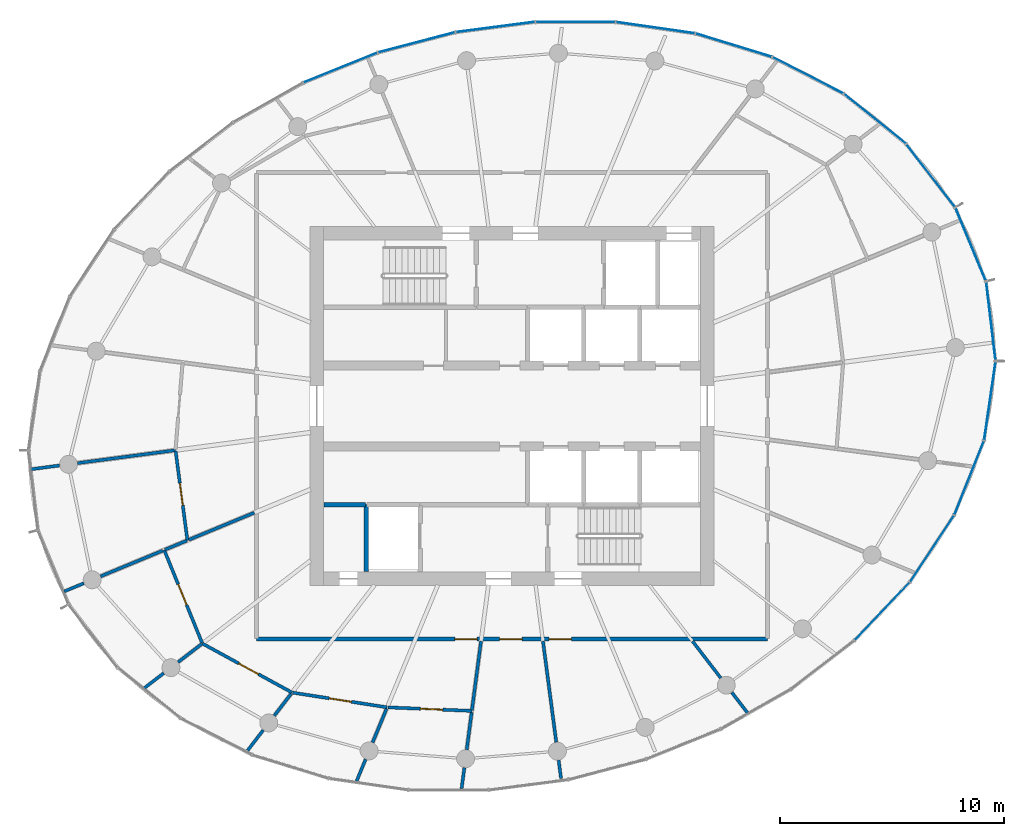
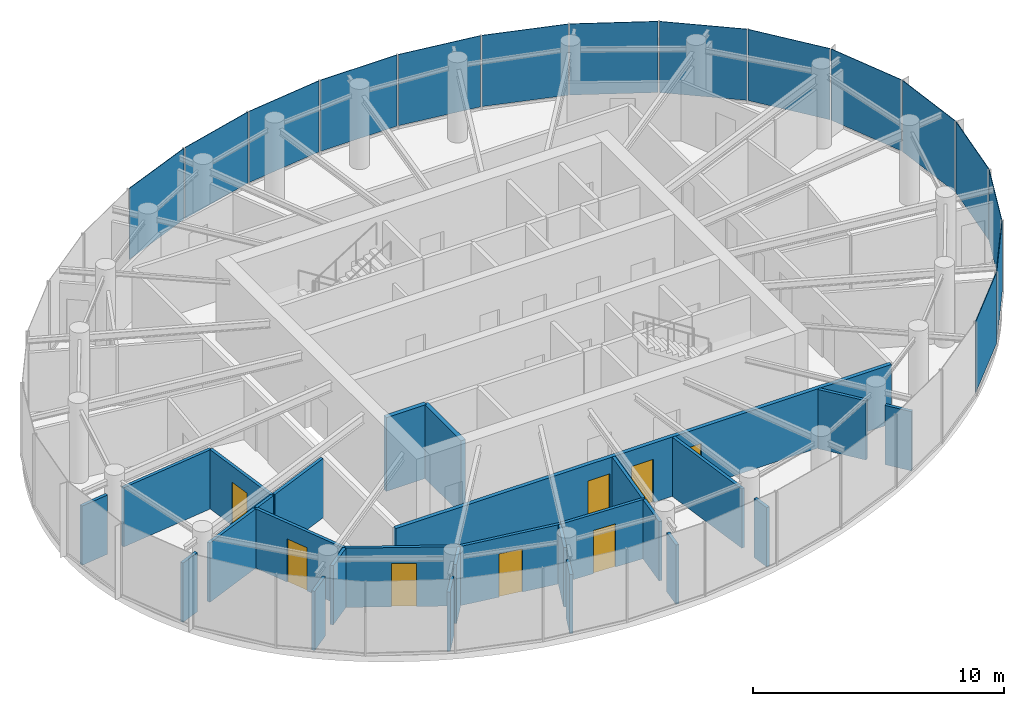
# One storey, part 8 of 13: 27 walls, 15 plates, 8 doors, 8 openings, 4 elements without a shape of their own.
"""IFC4 building model written with IfcOpenShell, lengths in metres."""

from ifc_helpers import new_model, si_unit, direction, frame, frame_2d, origin, origin_2d, place, context, subcontext, project, spatial, rectangle, extrude, source, transform, mapped, material, layer, layer_set, type_object, element, fill, aggregate, save


model = new_model("IFC4")

# Units and contexts
model_context = context("Model", 3, precision=1e-05, world=origin(), true_north=direction((0.0, 1.0)))
body_context = subcontext(model_context, "Body", "Model", "MODEL_VIEW")
ifc_project = project(units=[si_unit("LENGTHUNIT", "METRE"), si_unit("AREAUNIT", "SQUARE_METRE"), si_unit("VOLUMEUNIT", "CUBIC_METRE"), si_unit("PLANEANGLEUNIT", "RADIAN"), si_unit("MASSUNIT", "GRAM", prefix="KILO")], contexts=[model_context])

# Site, building, storey
site_placement = place(None, origin())
site = spatial("IfcSite", under=ifc_project, at=site_placement, CompositionType="ELEMENT")
building_placement = place(site_placement, origin())
building = spatial("IfcBuilding", under=site, at=building_placement, Name="Spindrift Exchange Tower", CompositionType="ELEMENT")
storey_placement = place(building_placement, frame((0.0, 0.0, 257.89990234375)))
storey = spatial("IfcBuildingStorey", under=building, at=storey_placement, Name="L63", CompositionType="ELEMENT", Elevation=257.89990234375)

# Curtain wall, plates
ifc_material_1 = material(Name="Fritted laminated glass with bronze frame", Category="glass")
ifc_layer_1 = layer(ifc_material_1, 0.159912109375)
ifc_layer_set_1 = layer_set([ifc_layer_1], Name="ZONE 5 BRONZE FRITTED WALL")
curtain_wall_type = type_object("IfcCurtainWallType", Name="ZONE 5 BRONZE FRITTED WALL", PredefinedType="NOTDEFINED", material=ifc_layer_set_1)
curtain_wall_1_placement = place(storey_placement, origin())
curtain_wall_1 = element("IfcCurtainWall", 1, at=curtain_wall_1_placement, inside=storey, type_object=curtain_wall_type, Name="L63 Zone 5 Bronze Fritted Wall run 2", PredefinedType="NOTDEFINED")
ifc_material_2 = material(Name="Bronze fritted laminated glass, open frit", Category="glass")
ifc_layer_2 = layer(ifc_material_2, 0.028076171875)
ifc_layer_set_2 = layer_set([ifc_layer_2], Name="ZONE 5 BRONZE FRITTED WALL PANEL OPEN FRIT 360")
plate_type_1 = type_object("IfcPlateType", Name="ZONE 5 BRONZE FRITTED WALL PANEL OPEN FRIT 360", PredefinedType="CURTAIN_PANEL", material=ifc_layer_set_2)
shared_shape_1 = source(origin(), body_context, "Body", "SweptSolid", [
    extrude(rectangle(XDim=3.5263671875, YDim=0.028076171875, at=origin_2d()), origin(), (0.0, 0.0, 1.0), 3.4599609375),
])
plate_1_placement = place(storey_placement, frame((47.74853515625, 64.210205078125, 0.1201171875), z_axis=(0.0, 0.0, 1.0), x_axis=(-0.967288565406, -0.253678598298, 0.0)))
plate_1 = element("IfcPlate", 2, at=plate_1_placement, type_object=plate_type_1, Name="L63 panel CW-5.9", PredefinedType="CURTAIN_PANEL", context=body_context, shape_type="MappedRepresentation", body=[
    mapped(shared_shape_1, transform((0.0, 0.0, 0.0), scale=1.0)),
])
ifc_layer_3 = layer(ifc_material_2, 0.028076171875)
ifc_layer_set_3 = layer_set([ifc_layer_3], Name="ZONE 5 BRONZE FRITTED WALL PANEL OPEN FRIT 480")
plate_type_2 = type_object("IfcPlateType", Name="ZONE 5 BRONZE FRITTED WALL PANEL OPEN FRIT 480", PredefinedType="CURTAIN_PANEL", material=ifc_layer_set_3)
shared_shape_2 = source(origin(), body_context, "Body", "SweptSolid", [
    extrude(rectangle(XDim=3.526123046875, YDim=0.028076171875, at=origin_2d()), origin(), (0.0, 0.0, 1.0), 3.4599609375),
])
plate_2_placement = place(storey_placement, frame((51.26123046875, 64.896240234375, 0.1201171875), z_axis=(0.0, 0.0, 1.0), x_axis=(-0.991649118387, -0.128965212376, 0.0)))
plate_2 = element("IfcPlate", 3, at=plate_2_placement, type_object=plate_type_2, Name="L63 panel CW-5.8", PredefinedType="CURTAIN_PANEL", context=body_context, shape_type="MappedRepresentation", body=[
    mapped(shared_shape_2, transform((0.0, 0.0, 0.0), scale=1.0)),
])
ifc_layer_4 = layer(ifc_material_2, 0.028076171875)
ifc_layer_set_4 = layer_set([ifc_layer_4], Name="ZONE 5 BRONZE FRITTED WALL PANEL OPEN FRIT 600")
plate_type_3 = type_object("IfcPlateType", Name="ZONE 5 BRONZE FRITTED WALL PANEL OPEN FRIT 600", PredefinedType="CURTAIN_PANEL", material=ifc_layer_set_4)
shared_shape_3 = source(origin(), body_context, "Body", "SweptSolid", [
    extrude(rectangle(XDim=3.526123046875, YDim=0.028076171875, at=origin_2d()), origin(), (0.0, 0.0, 1.0), 3.4599609375),
])
plate_3_placement = place(storey_placement, frame((44.351318359375, 63.083984375, 0.1201171875), z_axis=(0.0, 0.0, 1.0), x_axis=(-0.927298881706, -0.374321765313, 0.0)))
plate_3 = element("IfcPlate", 4, at=plate_3_placement, type_object=plate_type_3, Name="L63 panel CW-5.10", PredefinedType="CURTAIN_PANEL", context=body_context, shape_type="MappedRepresentation", body=[
    mapped(shared_shape_3, transform((0.0, 0.0, 0.0), scale=1.0)),
])

# Curtain wall, plate
curtain_wall_2_placement = place(storey_placement, origin())
curtain_wall_2 = element("IfcCurtainWall", 5, at=curtain_wall_2_placement, inside=storey, type_object=curtain_wall_type, Name="L63 Zone 5 Bronze Fritted Wall run 6", PredefinedType="NOTDEFINED")
shared_shape_4 = source(origin(), body_context, "Body", "SweptSolid", [
    extrude(rectangle(XDim=3.521484375, YDim=0.028076171875, at=origin_2d()), origin(), (0.0, 0.0, 1.0), 3.4599609375),
])
plate_4_placement = place(storey_placement, frame((72.386474609375, 44.788818359375, 0.1201171875), z_axis=(0.0, 0.0, 1.0), x_axis=(0.371458582531, 0.928449525534, 0.0)))
plate_4 = element("IfcPlate", 6, at=plate_4_placement, type_object=plate_type_1, Name="L63 panel CW-5.32", PredefinedType="CURTAIN_PANEL", context=body_context, shape_type="MappedRepresentation", body=[
    mapped(shared_shape_4, transform((0.0, 0.0, 0.0), scale=1.0)),
])

curtain_wall_3_placement = place(storey_placement, origin())
curtain_wall_3 = element("IfcCurtainWall", 7, at=curtain_wall_3_placement, inside=storey, type_object=curtain_wall_type, Name="L63 Zone 5 Bronze Fritted Wall run 1", PredefinedType="NOTDEFINED")
shared_shape_5 = source(origin(), body_context, "Body", "SweptSolid", [
    extrude(rectangle(XDim=3.519287109375, YDim=0.028076171875, at=origin_2d()), origin(), (0.0, 0.0, 1.0), 3.4599609375),
])
plate_5_placement = place(storey_placement, frame((70.67626953125, 58.264892578125, 0.1201171875), z_axis=(0.0, 0.0, 1.0), x_axis=(-0.611462133686, 0.791273694159, 0.0)))
plate_5 = element("IfcPlate", 8, at=plate_5_placement, type_object=plate_type_3, Name="L63 panel CW-5.2", PredefinedType="CURTAIN_PANEL", context=body_context, shape_type="MappedRepresentation", body=[
    mapped(shared_shape_5, transform((0.0, 0.0, 0.0), scale=1.0)),
])

# Plate
shared_shape_6 = source(origin(), body_context, "Body", "SweptSolid", [
    extrude(rectangle(XDim=3.519287109375, YDim=0.028076171875, at=origin_2d()), origin(), (0.0, 0.0, 1.0), 3.4599609375),
])
plate_6_placement = place(storey_placement, frame((73.31005859375, 48.222412109375, 0.1201171875), z_axis=(0.0, 0.0, 1.0), x_axis=(0.144385560759, 0.989521505499, 0.0)))
plate_6 = element("IfcPlate", 9, at=plate_6_placement, type_object=plate_type_1, Name="L63 panel CW-5.33", PredefinedType="CURTAIN_PANEL", context=body_context, shape_type="MappedRepresentation", body=[
    mapped(shared_shape_6, transform((0.0, 0.0, 0.0), scale=1.0)),
])

shared_shape_7 = source(origin(), body_context, "Body", "SweptSolid", [
    extrude(rectangle(XDim=3.521484375, YDim=0.028076171875, at=origin_2d()), origin(), (0.0, 0.0, 1.0), 3.4599609375),
])
plate_7_placement = place(storey_placement, frame((68.186279296875, 60.80322265625, 0.1201171875), z_axis=(0.0, 0.0, 1.0), x_axis=(-0.779310623441, 0.626637815802, 0.0)))
plate_7 = element("IfcPlate", 10, at=plate_7_placement, type_object=plate_type_3, Name="L63 panel CW-5.3", PredefinedType="CURTAIN_PANEL", context=body_context, shape_type="MappedRepresentation", body=[
    mapped(shared_shape_7, transform((0.0, 0.0, 0.0), scale=1.0)),
])

shared_shape_8 = source(origin(), body_context, "Body", "SweptSolid", [
    extrude(rectangle(XDim=3.5234375, YDim=0.028076171875, at=origin_2d()), origin(), (0.0, 0.0, 1.0), 3.4599609375),
])
plate_8_placement = place(storey_placement, frame((70.73291015625, 41.631591796875, 0.1201171875), z_axis=(0.0, 0.0, 1.0), x_axis=(0.551605109208, 0.83410539112, 0.0)))
plate_8 = element("IfcPlate", 11, at=plate_8_placement, type_object=plate_type_1, Name="L63 panel CW-5.31", PredefinedType="CURTAIN_PANEL", context=body_context, shape_type="MappedRepresentation", body=[
    mapped(shared_shape_8, transform((0.0, 0.0, 0.0), scale=1.0)),
])

shared_shape_9 = source(origin(), body_context, "Body", "SweptSolid", [
    extrude(rectangle(XDim=3.517578125, YDim=0.028076171875, at=origin_2d()), origin(), (0.0, 0.0, 1.0), 3.4599609375),
])
plate_9_placement = place(storey_placement, frame((72.45751953125, 55.197265625, 0.1201171875), z_axis=(0.0, 0.0, 1.0), x_axis=(-0.384035887258, 0.923318166884, 0.0)))
plate_9 = element("IfcPlate", 12, at=plate_9_placement, type_object=plate_type_1, Name="L63 panel CW-5.1", PredefinedType="CURTAIN_PANEL", context=body_context, shape_type="MappedRepresentation", body=[
    mapped(shared_shape_9, transform((0.0, 0.0, 0.0), scale=1.0)),
])

shared_shape_10 = source(origin(), body_context, "Body", "SweptSolid", [
    extrude(rectangle(XDim=3.517578125, YDim=0.028076171875, at=origin_2d()), origin(), (0.0, 0.0, 1.0), 3.4599609375),
])
plate_10_placement = place(storey_placement, frame((73.3564453125, 51.769287109375, 0.1201171875), z_axis=(0.0, 0.0, 1.0), x_axis=(-0.118546077337, 0.992948552317, 0.0)))
plate_10 = element("IfcPlate", 13, at=plate_10_placement, type_object=plate_type_3, Name="L63 panel CW-5.34", PredefinedType="CURTAIN_PANEL", context=body_context, shape_type="MappedRepresentation", body=[
    mapped(shared_shape_10, transform((0.0, 0.0, 0.0), scale=1.0)),
])

aggregate(curtain_wall_2, [plate_8, plate_4, plate_6, plate_10])

shared_shape_11 = source(origin(), body_context, "Body", "SweptSolid", [
    extrude(rectangle(XDim=3.5234375, YDim=0.028076171875, at=origin_2d()), origin(), (0.0, 0.0, 1.0), 3.4599609375),
])
plate_11_placement = place(storey_placement, frame((65.1962890625, 62.742431640625, 0.1201171875), z_axis=(0.0, 0.0, 1.0), x_axis=(-0.889968588547, 0.456021832153, 0.0)))
plate_11 = element("IfcPlate", 14, at=plate_11_placement, type_object=plate_type_3, Name="L63 panel CW-5.4", PredefinedType="CURTAIN_PANEL", context=body_context, shape_type="MappedRepresentation", body=[
    mapped(shared_shape_11, transform((0.0, 0.0, 0.0), scale=1.0)),
])

shared_shape_12 = source(origin(), body_context, "Body", "SweptSolid", [
    extrude(rectangle(XDim=3.524658203125, YDim=0.028076171875, at=origin_2d()), origin(), (0.0, 0.0, 1.0), 3.4599609375),
])
plate_12_placement = place(storey_placement, frame((61.88818359375, 64.0849609375, 0.1201171875), z_axis=(0.0, 0.0, 1.0), x_axis=(-0.956054878395, 0.29318777174, 0.0)))
plate_12 = element("IfcPlate", 15, at=plate_12_placement, type_object=plate_type_2, Name="L63 panel CW-5.5", PredefinedType="CURTAIN_PANEL", context=body_context, shape_type="MappedRepresentation", body=[
    mapped(shared_shape_12, transform((0.0, 0.0, 0.0), scale=1.0)),
])

# Curtain wall, plate
curtain_wall_4_placement = place(storey_placement, origin())
curtain_wall_4 = element("IfcCurtainWall", 16, at=curtain_wall_4_placement, inside=storey, type_object=curtain_wall_type, Name="L63 Zone 5 Bronze Fritted Wall run 5", PredefinedType="NOTDEFINED")
plate_13_placement = place(storey_placement, frame((68.509521484375, 38.83837890625, 0.1201171875), z_axis=(0.0, 0.0, 1.0), x_axis=(0.689113808387, 0.724653130187, 0.0)))
plate_13 = element("IfcPlate", 17, at=plate_13_placement, type_object=plate_type_2, Name="L63 panel CW-5.30", PredefinedType="CURTAIN_PANEL", context=body_context, shape_type="MappedRepresentation", body=[
    mapped(shared_shape_12, transform((0.0, 0.0, 0.0), scale=1.0)),
])
aggregate(curtain_wall_4, [plate_13])

# Plate
shared_shape_13 = source(origin(), body_context, "Body", "SweptSolid", [
    extrude(rectangle(XDim=3.52587890625, YDim=0.028076171875, at=origin_2d()), origin(), (0.0, 0.0, 1.0), 3.4599609375),
])
plate_14_placement = place(storey_placement, frame((54.83251953125, 65.123779296875, 0.1201171875), z_axis=(0.0, 0.0, 1.0), x_axis=(-0.999997755281, 0.002118828127, 0.0)))
plate_14 = element("IfcPlate", 18, at=plate_14_placement, type_object=plate_type_1, Name="L63 panel CW-5.7", PredefinedType="CURTAIN_PANEL", context=body_context, shape_type="MappedRepresentation", body=[
    mapped(shared_shape_13, transform((0.0, 0.0, 0.0), scale=1.0)),
])

aggregate(curtain_wall_1, [plate_14, plate_2, plate_1, plate_3])

shared_shape_14 = source(origin(), body_context, "Body", "SweptSolid", [
    extrude(rectangle(XDim=3.525390625, YDim=0.028076171875, at=origin_2d()), origin(), (0.0, 0.0, 1.0), 3.4599609375),
])
plate_15_placement = place(storey_placement, frame((58.39990234375, 64.864990234375, 0.1201171875), z_axis=(0.0, 0.0, 1.0), x_axis=(-0.989852263688, 0.142100302854, 0.0)))
plate_15 = element("IfcPlate", 19, at=plate_15_placement, type_object=plate_type_1, Name="L63 panel CW-5.6", PredefinedType="CURTAIN_PANEL", context=body_context, shape_type="MappedRepresentation", body=[
    mapped(shared_shape_14, transform((0.0, 0.0, 0.0), scale=1.0)),
])

aggregate(curtain_wall_3, [plate_9, plate_5, plate_7, plate_11, plate_12, plate_15])

# Wall, openings, doors
ifc_material_3 = material(Name="Fire-rated plasterboard partition", Category="gypsum")
ifc_layer_5 = layer(ifc_material_3, 0.179931640625)
ifc_layer_set_5 = layer_set([ifc_layer_5], Name="W-CORR-180")
wall_type_1 = type_object("IfcWallType", Name="W-CORR-180", PredefinedType="PARTITIONING", material=ifc_layer_set_5)
wall_1_placement = place(storey_placement, frame((63.39990234375, 37.60009765625, 0.0), z_axis=(0.0, 0.0, 1.0), x_axis=(-1.0, 0.0, 0.0)))
wall_1 = element("IfcWall", 20, at=wall_1_placement, inside=storey, type_object=wall_type_1, Name="L63 Partition wall 28", PredefinedType="PARTITIONING", context=body_context, shape_type="SweptSolid", body=[
    extrude(rectangle(XDim=22.7998046875, YDim=0.179931640625, at=frame_2d((11.39990234375, 0.0))), origin(), (0.0, 0.0, 1.0), 2.880126953125),
])
opening_1_placement = place(wall_1_placement, frame((12.949951171875, 0.0, 0.0)))
opening_1 = element("IfcOpeningElement", 21, at=opening_1_placement, cuts=wall_1, Name="Opening L63-D34", PredefinedType="OPENING", context=body_context, shape_type="SweptSolid", body=[
    extrude(rectangle(XDim=1.0, YDim=2.10009765625, at=frame_2d((0.5, 1.050048828125))), frame((0.0, 0.099853515625, 0.0), z_axis=(0.0, -1.0, 0.0), x_axis=(1.0, 0.0, 0.0)), (0.0, 0.0, 1.0), 0.199951171875),
])
opening_2_placement = place(wall_1_placement, frame((10.949951171875, 0.0, 0.0)))
opening_2 = element("IfcOpeningElement", 22, at=opening_2_placement, cuts=wall_1, Name="Opening L63-D39", PredefinedType="OPENING", context=body_context, shape_type="SweptSolid", body=[
    extrude(rectangle(XDim=1.0, YDim=2.10009765625, at=frame_2d((0.5, 1.050048828125))), frame((0.0, 0.099853515625, 0.0), z_axis=(0.0, -1.0, 0.0), x_axis=(1.0, 0.0, 0.0)), (0.0, 0.0, 1.0), 0.199951171875),
])
opening_3_placement = place(wall_1_placement, frame((8.75, 0.0, 0.0)))
opening_3 = element("IfcOpeningElement", 23, at=opening_3_placement, cuts=wall_1, Name="Opening L63-D40", PredefinedType="OPENING", context=body_context, shape_type="SweptSolid", body=[
    extrude(rectangle(XDim=1.0, YDim=2.10009765625, at=frame_2d((0.5, 1.050048828125))), frame((0.0, 0.099853515625, 0.0), z_axis=(0.0, -1.0, 0.0), x_axis=(1.0, 0.0, 0.0)), (0.0, 0.0, 1.0), 0.199951171875),
])
ifc_material_4 = material(Name="Timber-core fire door", Category="wood")
door_type = type_object("IfcDoorType", Name="DR-ROOM-1000", OperationType="NOTDEFINED", PredefinedType="DOOR", material=ifc_material_4)
shared_shape_15 = source(origin(), body_context, "Body", "SweptSolid", [
    extrude(rectangle(XDim=1.0, YDim=2.10009765625, at=frame_2d((0.5, 1.050048828125))), frame((0.0, 0.02490234375, 0.0), z_axis=(0.0, -1.0, 0.0), x_axis=(1.0, 0.0, 0.0)), (0.0, 0.0, 1.0), 0.050048828125),
])
door_1_placement = place(opening_1_placement, origin())
door_1 = element("IfcDoor", 24, at=door_1_placement, inside=storey, type_object=door_type, Name="L63 Door 34", OperationType="SINGLE_SWING_LEFT", OverallHeight=2.10009765625, OverallWidth=1.0, PredefinedType="DOOR", context=body_context, shape_type="MappedRepresentation", body=[
    mapped(shared_shape_15, transform((0.0, 0.0, 0.0), scale=1.0)),
])
fill(opening_1, door_1)
door_2_placement = place(opening_2_placement, origin())
door_2 = element("IfcDoor", 25, at=door_2_placement, inside=storey, type_object=door_type, Name="L63 Door 39", OperationType="SINGLE_SWING_RIGHT", OverallHeight=2.10009765625, OverallWidth=1.0, PredefinedType="DOOR", context=body_context, shape_type="MappedRepresentation", body=[
    mapped(shared_shape_15, transform((0.0, 0.0, 0.0), scale=1.0)),
])
fill(opening_2, door_2)
door_3_placement = place(opening_3_placement, origin())
door_3 = element("IfcDoor", 26, at=door_3_placement, inside=storey, type_object=door_type, Name="L63 Door 40", OperationType="SINGLE_SWING_LEFT", OverallHeight=2.10009765625, OverallWidth=1.0, PredefinedType="DOOR", context=body_context, shape_type="MappedRepresentation", body=[
    mapped(shared_shape_15, transform((0.0, 0.0, 0.0), scale=1.0)),
])
fill(opening_3, door_3)

# Wall
ifc_layer_6 = layer(ifc_material_3, 0.139892578125)
ifc_layer_set_6 = layer_set([ifc_layer_6], Name="W-PART-140")
wall_type_2 = type_object("IfcWallType", Name="W-PART-140", PredefinedType="PARTITIONING", material=ifc_layer_set_6)
wall_2_placement = place(storey_placement, frame((53.381103515625, 37.510009765625, 0.0), z_axis=(0.0, 0.0, 1.0), x_axis=(0.130505936446, -0.991447527887, 0.0)))
element("IfcWall", 27, at=wall_2_placement, inside=storey, type_object=wall_type_2, Name="L63 Partition wall 31", PredefinedType="PARTITIONING", context=body_context, shape_type="SweptSolid", body=[
    extrude(rectangle(XDim=4.5439453125, YDim=0.139892578125, at=frame_2d((2.27197265625, 0.0))), origin(), (0.0, 0.0, 1.0), 2.880126953125),
])

# Wall, opening, door
wall_3_placement = place(storey_placement, frame((42.192626953125, 35.218994140625, 0.0), z_axis=(0.0, 0.0, 1.0), x_axis=(-0.877448984614, 0.479669969249, 0.0)))
wall_3 = element("IfcWall", 28, at=wall_3_placement, inside=storey, type_object=wall_type_2, Name="L63 Partition wall 35", PredefinedType="PARTITIONING", context=body_context, shape_type="SweptSolid", body=[
    extrude(rectangle(XDim=4.558349609375, YDim=0.139892578125, at=frame_2d((2.279296875, 0.0))), origin(), (0.0, 0.0, 1.0), 2.880126953125),
])
opening_4_placement = place(wall_3_placement, frame((1.70849609375, 0.0, 0.0)))
opening_4 = element("IfcOpeningElement", 29, at=opening_4_placement, cuts=wall_3, Name="Opening L63-D36", PredefinedType="OPENING", context=body_context, shape_type="SweptSolid", body=[
    extrude(rectangle(XDim=1.0, YDim=2.10009765625, at=frame_2d((0.5, 1.050048828125))), frame((0.0, 0.079833984375, 0.0), z_axis=(0.0, -1.0, 0.0), x_axis=(1.0, 0.0, 0.0)), (0.0, 0.0, 1.0), 0.159912109375),
])
door_4_placement = place(opening_4_placement, origin())
door_4 = element("IfcDoor", 30, at=door_4_placement, inside=storey, type_object=door_type, Name="L63 Door 36", OperationType="SINGLE_SWING_LEFT", OverallHeight=2.10009765625, OverallWidth=1.0, PredefinedType="DOOR", context=body_context, shape_type="MappedRepresentation", body=[
    mapped(shared_shape_15, transform((0.0, 0.0, 0.0), scale=1.0)),
])
fill(opening_4, door_4)

wall_4_placement = place(storey_placement, frame((38.181640625, 37.43310546875, 0.0), z_axis=(0.0, 0.0, 1.0), x_axis=(-0.377844499275, 0.925869069776, 0.0)))
wall_4 = element("IfcWall", 31, at=wall_4_placement, inside=storey, type_object=wall_type_2, Name="L63 Partition wall 36", PredefinedType="PARTITIONING", context=body_context, shape_type="SweptSolid", body=[
    extrude(rectangle(XDim=4.474609375, YDim=0.139892578125, at=frame_2d((2.2373046875, 0.0))), origin(), (0.0, 0.0, 1.0), 2.880126953125),
])
opening_5_placement = place(wall_4_placement, frame((1.824462890625, 0.0, 0.0)))
opening_5 = element("IfcOpeningElement", 32, at=opening_5_placement, cuts=wall_4, Name="Opening L63-D35", PredefinedType="OPENING", context=body_context, shape_type="SweptSolid", body=[
    extrude(rectangle(XDim=1.0, YDim=2.10009765625, at=frame_2d((0.5, 1.050048828125))), frame((0.0, 0.079833984375, 0.0), z_axis=(0.0, -1.0, 0.0), x_axis=(1.0, 0.0, 0.0)), (0.0, 0.0, 1.0), 0.159912109375),
])
door_5_placement = place(opening_5_placement, origin())
door_5 = element("IfcDoor", 33, at=door_5_placement, inside=storey, type_object=door_type, Name="L63 Door 35", OperationType="SINGLE_SWING_RIGHT", OverallHeight=2.10009765625, OverallWidth=1.0, PredefinedType="DOOR", context=body_context, shape_type="MappedRepresentation", body=[
    mapped(shared_shape_15, transform((0.0, 0.0, 0.0), scale=1.0)),
])
fill(opening_5, door_5)

# Wall
wall_5_placement = place(storey_placement, frame((36.995849609375, 46.024658203125, 0.0), z_axis=(0.0, 0.0, 1.0), x_axis=(-0.991449395419, -0.130491748102, 0.0)))
element("IfcWall", 34, at=wall_5_placement, inside=storey, type_object=wall_type_2, Name="L63 Partition wall 37", PredefinedType="PARTITIONING", context=body_context, shape_type="SweptSolid", body=[
    extrude(rectangle(XDim=4.40966796875, YDim=0.139892578125, at=frame_2d((2.204833984375, 0.0))), origin(), (0.0, 0.0, 1.0), 2.880126953125),
])

# Wall, opening, door
wall_6_placement = place(storey_placement, frame((46.432861328125, 34.559814453125, 0.0), z_axis=(0.0, 0.0, 1.0), x_axis=(-0.988131354716, 0.153611281572, 0.0)))
wall_6 = element("IfcWall", 35, at=wall_6_placement, inside=storey, type_object=wall_type_2, Name="L63 Partition wall 38", PredefinedType="PARTITIONING", context=body_context, shape_type="SweptSolid", body=[
    extrude(rectangle(XDim=4.260986328125, YDim=0.139892578125, at=frame_2d((2.13037109375, 0.0))), origin(), (0.0, 0.0, 1.0), 2.880126953125),
])
opening_6_placement = place(wall_6_placement, frame((1.611083984375, 0.0, 0.0)))
opening_6 = element("IfcOpeningElement", 36, at=opening_6_placement, cuts=wall_6, Name="Opening L63-D37", PredefinedType="OPENING", context=body_context, shape_type="SweptSolid", body=[
    extrude(rectangle(XDim=1.0, YDim=2.10009765625, at=frame_2d((0.5, 1.050048828125))), frame((0.0, 0.079833984375, 0.0), z_axis=(0.0, -1.0, 0.0), x_axis=(1.0, 0.0, 0.0)), (0.0, 0.0, 1.0), 0.159912109375),
])
door_6_placement = place(opening_6_placement, origin())
door_6 = element("IfcDoor", 37, at=door_6_placement, inside=storey, type_object=door_type, Name="L63 Door 37", OperationType="SINGLE_SWING_RIGHT", OverallHeight=2.10009765625, OverallWidth=1.0, PredefinedType="DOOR", context=body_context, shape_type="MappedRepresentation", body=[
    mapped(shared_shape_15, transform((0.0, 0.0, 0.0), scale=1.0)),
])
fill(opening_6, door_6)

wall_7_placement = place(storey_placement, frame((37.52685546875, 42.005126953125, 0.0), z_axis=(0.0, 0.0, 1.0), x_axis=(-0.130975494037, 0.99138560609, 0.0)))
wall_7 = element("IfcWall", 38, at=wall_7_placement, inside=storey, type_object=wall_type_2, Name="L63 Partition wall 39", PredefinedType="PARTITIONING", context=body_context, shape_type="SweptSolid", body=[
    extrude(rectangle(XDim=4.0244140625, YDim=0.139892578125, at=frame_2d((2.01220703125, 0.0))), origin(), (0.0, 0.0, 1.0), 2.880126953125),
])
opening_7_placement = place(wall_7_placement, frame((1.574462890625, 0.0, 0.0)))
opening_7 = element("IfcOpeningElement", 39, at=opening_7_placement, cuts=wall_7, Name="Opening L63-D33", PredefinedType="OPENING", context=body_context, shape_type="SweptSolid", body=[
    extrude(rectangle(XDim=1.0, YDim=2.10009765625, at=frame_2d((0.5, 1.050048828125))), frame((0.0, 0.079833984375, 0.0), z_axis=(0.0, -1.0, 0.0), x_axis=(1.0, 0.0, 0.0)), (0.0, 0.0, 1.0), 0.159912109375),
])
door_7_placement = place(opening_7_placement, origin())
door_7 = element("IfcDoor", 40, at=door_7_placement, inside=storey, type_object=door_type, Name="L63 Door 33", OperationType="SINGLE_SWING_RIGHT", OverallHeight=2.10009765625, OverallWidth=1.0, PredefinedType="DOOR", context=body_context, shape_type="MappedRepresentation", body=[
    mapped(shared_shape_15, transform((0.0, 0.0, 0.0), scale=1.0)),
])
fill(opening_7, door_7)

wall_8_placement = place(storey_placement, frame((50.209716796875, 34.401123046875, 0.0), z_axis=(0.0, 0.0, 1.0), x_axis=(-0.999118002039, 0.041990689471, 0.0)))
wall_8 = element("IfcWall", 41, at=wall_8_placement, inside=storey, type_object=wall_type_2, Name="L63 Partition wall 46", PredefinedType="PARTITIONING", context=body_context, shape_type="SweptSolid", body=[
    extrude(rectangle(XDim=3.750244140625, YDim=0.139892578125, at=frame_2d((1.875, 0.0))), origin(), (0.0, 0.0, 1.0), 2.880126953125),
])
opening_8_placement = place(wall_8_placement, frame((1.300048828125, 0.0, 0.0)))
opening_8 = element("IfcOpeningElement", 42, at=opening_8_placement, cuts=wall_8, Name="Opening L63-D38", PredefinedType="OPENING", context=body_context, shape_type="SweptSolid", body=[
    extrude(rectangle(XDim=1.0, YDim=2.10009765625, at=frame_2d((0.5, 1.050048828125))), frame((0.0, 0.079833984375, 0.0), z_axis=(0.0, -1.0, 0.0), x_axis=(1.0, 0.0, 0.0)), (0.0, 0.0, 1.0), 0.159912109375),
])
door_8_placement = place(opening_8_placement, origin())
door_8 = element("IfcDoor", 43, at=door_8_placement, inside=storey, type_object=door_type, Name="L63 Door 38", OperationType="SINGLE_SWING_LEFT", OverallHeight=2.10009765625, OverallWidth=1.0, PredefinedType="DOOR", context=body_context, shape_type="MappedRepresentation", body=[
    mapped(shared_shape_15, transform((0.0, 0.0, 0.0), scale=1.0)),
])
fill(opening_8, door_8)

# Walls
wall_9_placement = place(storey_placement, frame((40.510009765625, 43.24072265625, 0.0), z_axis=(0.0, 0.0, 1.0), x_axis=(-0.923862215035, -0.382725237776, 0.0)))
element("IfcWall", 44, at=wall_9_placement, inside=storey, type_object=wall_type_2, Name="L63 Partition wall 50", PredefinedType="PARTITIONING", context=body_context, shape_type="SweptSolid", body=[
    extrude(rectangle(XDim=3.15625, YDim=0.139892578125, at=frame_2d((1.578125, 0.0))), origin(), (0.0, 0.0, 1.0), 2.880126953125),
])
wall_10_placement = place(storey_placement, frame((50.618896484375, 37.510009765625, 0.0), z_axis=(0.0, 0.0, 1.0), x_axis=(-0.130495182838, -0.991448943343, 0.0)))
element("IfcWall", 45, at=wall_10_placement, inside=storey, type_object=wall_type_2, Name="L63 Partition wall 53", PredefinedType="PARTITIONING", context=body_context, shape_type="SweptSolid", body=[
    extrude(rectangle(XDim=3.105712890625, YDim=0.139892578125, at=frame_2d((1.552734375, 0.0))), origin(), (0.0, 0.0, 1.0), 2.880126953125),
])
wall_11_placement = place(storey_placement, frame((36.42626953125, 41.54931640625, 0.0), z_axis=(0.0, 0.0, 1.0), x_axis=(-0.923867061942, -0.382713537595, 0.0)))
element("IfcWall", 46, at=wall_11_placement, inside=storey, type_object=wall_type_2, Name="L63 Partition wall 56", PredefinedType="PARTITIONING", context=body_context, shape_type="SweptSolid", body=[
    extrude(rectangle(XDim=3.000244140625, YDim=0.139892578125, at=frame_2d((1.5, 0.0))), origin(), (0.0, 0.0, 1.0), 2.880126953125),
])
wall_12_placement = place(storey_placement, frame((60.04931640625, 37.510009765625, 0.0), z_axis=(0.0, 0.0, 1.0), x_axis=(0.608701397958, -0.793399400128, 0.0)))
element("IfcWall", 47, at=wall_12_placement, inside=storey, type_object=wall_type_2, Name="L63 Partition wall 60", PredefinedType="PARTITIONING", context=body_context, shape_type="SweptSolid", body=[
    extrude(rectangle(XDim=2.070068359375, YDim=0.139892578125, at=frame_2d((1.03515625, 0.0))), origin(), (0.0, 0.0, 1.0), 2.880126953125),
])
wall_13_placement = place(storey_placement, frame((50.200439453125, 34.331298828125, 0.0), z_axis=(0.0, 0.0, 1.0), x_axis=(-0.13054119413, -0.991442886219, 0.0)))
element("IfcWall", 48, at=wall_13_placement, inside=storey, type_object=wall_type_2, Name="L63 Partition wall 61", PredefinedType="PARTITIONING", context=body_context, shape_type="SweptSolid", body=[
    extrude(rectangle(XDim=1.67578125, YDim=0.139892578125, at=frame_2d((0.837890625, 0.0))), origin(), (0.0, 0.0, 1.0), 2.880126953125),
])
wall_14_placement = place(storey_placement, frame((46.4052734375, 34.493408203125, 0.0), z_axis=(0.0, 0.0, 1.0), x_axis=(-0.382705531501, -0.92387037844, 0.0)))
element("IfcWall", 49, at=wall_14_placement, inside=storey, type_object=wall_type_2, Name="L63 Partition wall 63", PredefinedType="PARTITIONING", context=body_context, shape_type="SweptSolid", body=[
    extrude(rectangle(XDim=1.62548828125, YDim=0.139892578125, at=frame_2d((0.812744140625, 0.0))), origin(), (0.0, 0.0, 1.0), 2.880126953125),
])
wall_15_placement = place(storey_placement, frame((38.169189453125, 37.38720703125, 0.0), z_axis=(0.0, 0.0, 1.0), x_axis=(-0.793358692504, -0.608754453805, 0.0)))
element("IfcWall", 50, at=wall_15_placement, inside=storey, type_object=wall_type_2, Name="L63 Partition wall 69", PredefinedType="PARTITIONING", context=body_context, shape_type="SweptSolid", body=[
    extrude(rectangle(XDim=1.3330078125, YDim=0.139892578125, at=frame_2d((0.66650390625, 0.0))), origin(), (0.0, 0.0, 1.0), 2.880126953125),
])
wall_16_placement = place(storey_placement, frame((42.149658203125, 35.16259765625, 0.0), z_axis=(0.0, 0.0, 1.0), x_axis=(-0.608839083006, -0.793293748245, 0.0)))
element("IfcWall", 51, at=wall_16_placement, inside=storey, type_object=wall_type_2, Name="L63 Partition wall 70", PredefinedType="PARTITIONING", context=body_context, shape_type="SweptSolid", body=[
    extrude(rectangle(XDim=1.232177734375, YDim=0.139892578125, at=frame_2d((0.6162109375, 0.0))), origin(), (0.0, 0.0, 1.0), 2.880126953125),
])
wall_17_placement = place(storey_placement, frame((31.821533203125, 45.343505859375, 0.0), z_axis=(0.0, 0.0, 1.0), x_axis=(-0.991436741362, -0.130587855015, 0.0)))
element("IfcWall", 52, at=wall_17_placement, inside=storey, type_object=wall_type_2, Name="L63 Partition wall 71", PredefinedType="PARTITIONING", context=body_context, shape_type="SweptSolid", body=[
    extrude(rectangle(XDim=1.27880859375, YDim=0.139892578125, at=frame_2d((0.639404296875, 0.0))), origin(), (0.0, 0.0, 1.0), 2.880126953125),
])
for number, where, z_axis, x_axis, name in (
    (53, (61.802001953125, 35.225830078125, 0.0), (0.0, 0.0, 1.0), (0.608781268648, -0.793338116406, 0.0), "L63 Partition wall 72"),
    (54, (40.90673828125, 33.543212890625, 0.0), (0.0, 0.0, 1.0), (-0.60864680101, -0.793441284293, 0.0), "L63 Partition wall 74"),
):
    element("IfcWall", number, at=place(storey_placement, frame(where, z_axis=z_axis, x_axis=x_axis)), inside=storey, type_object=wall_type_2, Name=name, PredefinedType="PARTITIONING", context=body_context, shape_type="SweptSolid", body=[
        extrude(rectangle(XDim=1.142822265625, YDim=0.139892578125, at=frame_2d((0.5712890625, 0.0))), origin(), (0.0, 0.0, 1.0), 2.880126953125),
    ])
wall_18_placement = place(storey_placement, frame((37.499267578125, 41.99365234375, 0.0), z_axis=(0.0, 0.0, 1.0), x_axis=(-0.923837370253, -0.382785205205, 0.0)))
element("IfcWall", 55, at=wall_18_placement, inside=storey, type_object=wall_type_2, Name="L63 Partition wall 76", PredefinedType="PARTITIONING", context=body_context, shape_type="SweptSolid", body=[
    extrude(rectangle(XDim=1.061279296875, YDim=0.139892578125, at=frame_2d((0.53076171875, 0.0))), origin(), (0.0, 0.0, 1.0), 2.880126953125),
])
wall_19_placement = place(storey_placement, frame((36.469482421875, 36.0830078125, 0.0), z_axis=(0.0, 0.0, 1.0), x_axis=(-0.793297066138, -0.608834759895, 0.0)))
element("IfcWall", 56, at=wall_19_placement, inside=storey, type_object=wall_type_2, Name="L63 Partition wall 77", PredefinedType="PARTITIONING", context=body_context, shape_type="SweptSolid", body=[
    extrude(rectangle(XDim=1.118408203125, YDim=0.139892578125, at=frame_2d((0.55908203125, 0.0))), origin(), (0.0, 0.0, 1.0), 2.880126953125),
])
wall_20_placement = place(storey_placement, frame((45.473388671875, 32.2431640625, 0.0), z_axis=(0.0, 0.0, 1.0), x_axis=(-0.382703871955, -0.923871065891, 0.0)))
element("IfcWall", 57, at=wall_20_placement, inside=storey, type_object=wall_type_2, Name="L63 Partition wall 82", PredefinedType="PARTITIONING", context=body_context, shape_type="SweptSolid", body=[
    extrude(rectangle(XDim=1.0615234375, YDim=0.139892578125, at=frame_2d((0.53076171875, 0.0))), origin(), (0.0, 0.0, 1.0), 2.880126953125),
])
wall_21_placement = place(storey_placement, frame((49.876220703125, 31.86767578125, 0.0), z_axis=(0.0, 0.0, 1.0), x_axis=(-0.130588295536, -0.991436683338, 0.0)))
element("IfcWall", 58, at=wall_21_placement, inside=storey, type_object=wall_type_2, Name="L63 Partition wall 84", PredefinedType="PARTITIONING", context=body_context, shape_type="SweptSolid", body=[
    extrude(rectangle(XDim=0.944091796875, YDim=0.139892578125, at=frame_2d((0.47216796875, 0.0))), origin(), (0.0, 0.0, 1.0), 2.880126953125),
])
wall_22_placement = place(storey_placement, frame((32.90625, 40.091064453125, 0.0), z_axis=(0.0, 0.0, 1.0), x_axis=(-0.923893859205, -0.382648842835, 0.0)))
element("IfcWall", 59, at=wall_22_placement, inside=storey, type_object=wall_type_2, Name="L63 Partition wall 85", PredefinedType="PARTITIONING", context=body_context, shape_type="SweptSolid", body=[
    extrude(rectangle(XDim=0.943603515625, YDim=0.139892578125, at=frame_2d((0.4716796875, 0.0))), origin(), (0.0, 0.0, 1.0), 2.880126953125),
])
wall_23_placement = place(storey_placement, frame((54.07958984375, 32.202880859375, 0.0), z_axis=(0.0, 0.0, 1.0), x_axis=(0.130768286444, -0.991412958994, 0.0)))
element("IfcWall", 60, at=wall_23_placement, inside=storey, type_object=wall_type_2, Name="L63 Partition wall 88", PredefinedType="PARTITIONING", context=body_context, shape_type="SweptSolid", body=[
    extrude(rectangle(XDim=0.8251953125, YDim=0.139892578125, at=frame_2d((0.41259765625, 0.0))), origin(), (0.0, 0.0, 1.0), 2.880126953125),
])
ifc_material_5 = material(Name="Concrete 40 MPa", Category="concrete")
ifc_layer_7 = layer(ifc_material_5, 0.199951171875)
ifc_layer_set_7 = layer_set([ifc_layer_7], Name="W-SHAFT-200")
wall_type_3 = type_object("IfcWallType", Name="W-SHAFT-200", PredefinedType="SOLIDWALL", material=ifc_layer_set_7)
wall_24_placement = place(storey_placement, frame((45.5, 43.60009765625, 0.0), z_axis=(0.0, 0.0, 1.0), x_axis=(0.0, -1.0, 0.0)))
element("IfcWall", 61, at=wall_24_placement, inside=storey, type_object=wall_type_3, Name="L63 Shaft wall 3", PredefinedType="SOLIDWALL", context=body_context, shape_type="SweptSolid", body=[
    extrude(rectangle(XDim=2.97998046875, YDim=0.199951171875, at=frame_2d((1.489990234375, 0.0))), origin(), (0.0, 0.0, 1.0), 3.580078125),
])
wall_25_placement = place(storey_placement, frame((45.469970703125, 43.60009765625, 0.0), z_axis=(0.0, 0.0, 1.0), x_axis=(-1.0, 0.0, 0.0)))
element("IfcWall", 62, at=wall_25_placement, inside=storey, type_object=wall_type_3, Name="L63 Shaft wall 20", PredefinedType="SOLIDWALL", context=body_context, shape_type="SweptSolid", body=[
    extrude(rectangle(XDim=1.849853515625, YDim=0.199951171875, at=frame_2d((0.9248046875, 0.0))), origin(), (0.0, 0.0, 1.0), 3.580078125),
])

save(model, "model.ifc")
